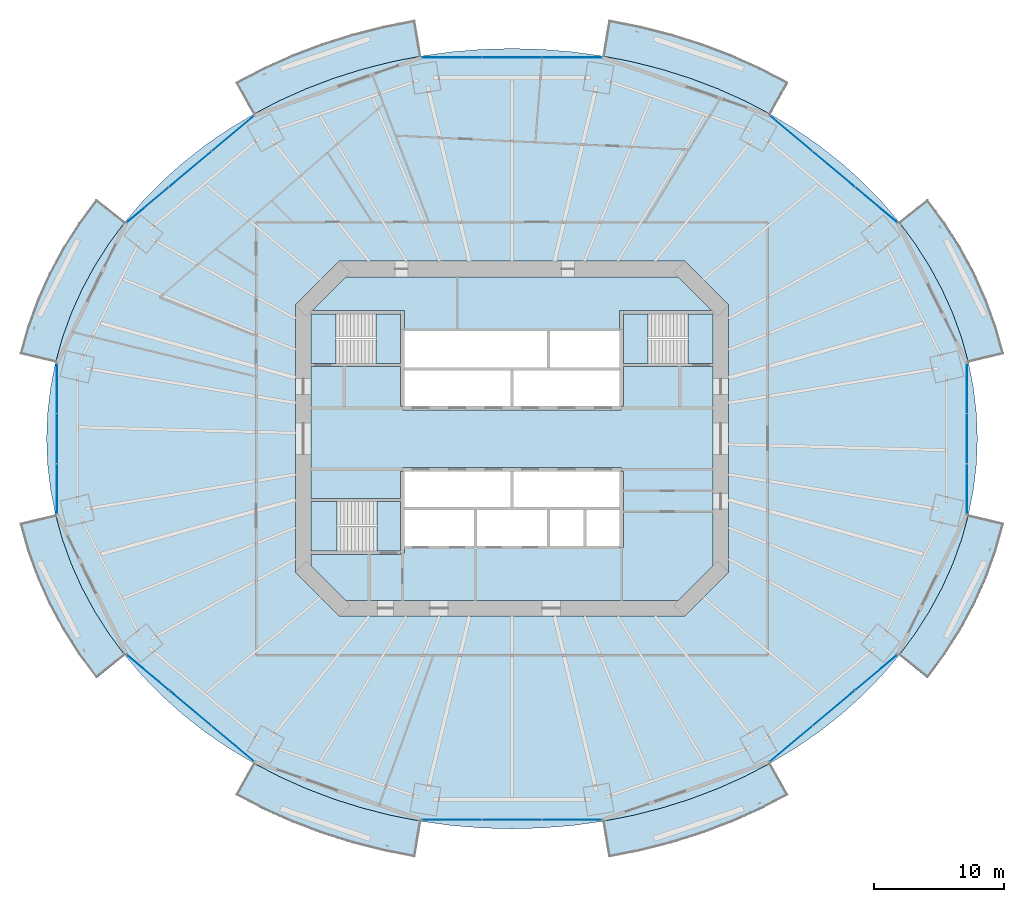
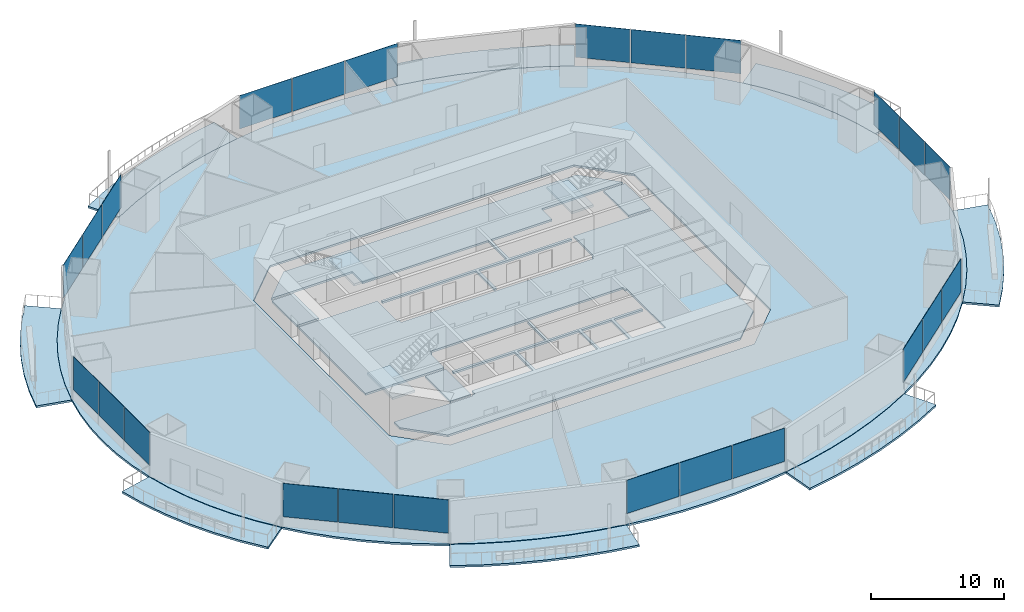
# One storey, part 12 of 22: 24 plates, 17 slabs, 11 elements without a shape of their own.
"""IFC4 building model written with IfcOpenShell, lengths in metres."""

from ifc_helpers import new_model, si_unit, direction, frame, origin, origin_2d, place, context, subcontext, project, spatial, polyline, rectangle, outline, extrude, material, layer, layer_set, type_object, element, aggregate, save


model = new_model("IFC4")

# Units and contexts
model_context = context("Model", 3, precision=1e-05, world=origin(), true_north=direction((0.0, 1.0)))
body_context = subcontext(model_context, "Body", "Model", "MODEL_VIEW")
ifc_project = project(units=[si_unit("LENGTHUNIT", "METRE"), si_unit("AREAUNIT", "SQUARE_METRE"), si_unit("VOLUMEUNIT", "CUBIC_METRE"), si_unit("PLANEANGLEUNIT", "RADIAN"), si_unit("MASSUNIT", "GRAM", prefix="KILO")], contexts=[model_context])

# Site, building, storey
site_placement = place(None, origin())
site = spatial("IfcSite", under=ifc_project, at=site_placement, CompositionType="ELEMENT")
building_placement = place(site_placement, origin())
building = spatial("IfcBuilding", under=site, at=building_placement, Name="Marenthal Gate Tower", CompositionType="ELEMENT")
storey_placement = place(building_placement, frame((0.0, 0.0, 74.5)))
storey = spatial("IfcBuildingStorey", under=building, at=storey_placement, Name="L14", CompositionType="ELEMENT", Elevation=74.5)

# Slabs
ifc_material_1 = material(Name="Concrete 40 MPa", Category="concrete")
ifc_layer_1 = layer(ifc_material_1, 0.179931640625)
ifc_layer_set_1 = layer_set([ifc_layer_1], Name="Balcony deck 180")
slab_type_1 = type_object("IfcSlabType", Name="Balcony deck 180", PredefinedType="USERDEFINED", material=ifc_layer_set_1)
slab_1_placement = place(storey_placement, frame((0.0, 0.0, -0.219970703125)))
element("IfcSlab", 1, at=slab_1_placement, inside=storey, type_object=slab_type_1, Name="Balcony deck L14 bay 1", ObjectType="BALCONY", PredefinedType="USERDEFINED", context=body_context, shape_type="SweptSolid", body=[
    extrude(outline(polyline([(34.987548828125, 5.833984375), (34.45751953125, 7.73974609375), (33.77978515625, 9.6123046875), (32.95751953125, 11.44384765625), (31.994140625, 13.226318359375), (30.893798828125, 14.951904296875), (29.660888671875, 16.61376953125), (31.8505859375, 18.359130859375), (33.19970703125, 16.540283203125), (34.407470703125, 14.64599609375), (35.4677734375, 12.68408203125), (36.375, 10.663330078125), (37.12451171875, 8.59228515625), (37.7119140625, 6.48046875), (34.987548828125, 5.833984375)])), origin(), (0.0, 0.0, 1.0), 0.179931640625),
])
slab_2_placement = place(storey_placement, frame((0.0, 0.0, -0.219970703125)))
element("IfcSlab", 2, at=slab_2_placement, inside=storey, type_object=slab_type_1, Name="Balcony deck L14 bay 3", ObjectType="BALCONY", PredefinedType="USERDEFINED", context=body_context, shape_type="SweptSolid", body=[
    extrude(outline(polyline([(19.81884765625, 24.8642578125), (17.83642578125, 25.897705078125), (15.77783203125, 26.820068359375), (13.651611328125, 27.627685546875), (11.466796875, 28.31689453125), (9.23291015625, 28.885009765625), (6.95947265625, 29.329345703125), (7.419921875, 32.09130859375), (9.846435546875, 31.616943359375), (12.233154296875, 31.010009765625), (14.570068359375, 30.272705078125), (16.847412109375, 29.40771484375), (19.056396484375, 28.41796875), (21.187255859375, 27.30712890625), (19.81884765625, 24.8642578125)])), origin(), (0.0, 0.0, 1.0), 0.179931640625),
])
slab_3_placement = place(storey_placement, frame((0.0, 0.0, -0.219970703125)))
element("IfcSlab", 3, at=slab_3_placement, inside=storey, type_object=slab_type_1, Name="Balcony deck L14 bay 5", ObjectType="BALCONY", PredefinedType="USERDEFINED", context=body_context, shape_type="SweptSolid", body=[
    extrude(outline(polyline([(-6.95947265625, 29.329345703125), (-9.23291015625, 28.885009765625), (-11.466796875, 28.31689453125), (-13.651611328125, 27.627685546875), (-15.77783203125, 26.820068359375), (-17.83642578125, 25.897705078125), (-19.81884765625, 24.8642578125), (-21.187255859375, 27.30712890625), (-19.056396484375, 28.41796875), (-16.847412109375, 29.40771484375), (-14.570068359375, 30.272705078125), (-12.233154296875, 31.010009765625), (-9.846435546875, 31.616943359375), (-7.419921875, 32.09130859375), (-6.95947265625, 29.329345703125)])), origin(), (0.0, 0.0, 1.0), 0.179931640625),
])
slab_4_placement = place(storey_placement, frame((0.0, 0.0, -0.219970703125)))
element("IfcSlab", 4, at=slab_4_placement, inside=storey, type_object=slab_type_1, Name="Balcony deck L14 bay 7", ObjectType="BALCONY", PredefinedType="USERDEFINED", context=body_context, shape_type="SweptSolid", body=[
    extrude(outline(polyline([(-29.660888671875, 16.61376953125), (-30.893798828125, 14.951904296875), (-31.994140625, 13.226318359375), (-32.95751953125, 11.44384765625), (-33.77978515625, 9.6123046875), (-34.45751953125, 7.73974609375), (-34.987548828125, 5.833984375), (-37.7119140625, 6.48046875), (-37.12451171875, 8.59228515625), (-36.375, 10.663330078125), (-35.4677734375, 12.68408203125), (-34.407470703125, 14.64599609375), (-33.19970703125, 16.540283203125), (-31.8505859375, 18.359130859375), (-29.660888671875, 16.61376953125)])), origin(), (0.0, 0.0, 1.0), 0.179931640625),
])
slab_5_placement = place(storey_placement, frame((0.0, 0.0, -0.219970703125)))
element("IfcSlab", 5, at=slab_5_placement, inside=storey, type_object=slab_type_1, Name="Balcony deck L14 bay 9", ObjectType="BALCONY", PredefinedType="USERDEFINED", context=body_context, shape_type="SweptSolid", body=[
    extrude(outline(polyline([(-34.987548828125, -5.833984375), (-34.45751953125, -7.73974609375), (-33.77978515625, -9.6123046875), (-32.95751953125, -11.44384765625), (-31.994140625, -13.226318359375), (-30.893798828125, -14.951904296875), (-29.660888671875, -16.61376953125), (-31.8505859375, -18.359130859375), (-33.19970703125, -16.540283203125), (-34.407470703125, -14.64599609375), (-35.4677734375, -12.68408203125), (-36.375, -10.663330078125), (-37.12451171875, -8.59228515625), (-37.7119140625, -6.48046875), (-34.987548828125, -5.833984375)])), origin(), (0.0, 0.0, 1.0), 0.179931640625),
])
slab_6_placement = place(storey_placement, frame((0.0, 0.0, -0.219970703125)))
element("IfcSlab", 6, at=slab_6_placement, inside=storey, type_object=slab_type_1, Name="Balcony deck L14 bay 11", ObjectType="BALCONY", PredefinedType="USERDEFINED", context=body_context, shape_type="SweptSolid", body=[
    extrude(outline(polyline([(-19.81884765625, -24.8642578125), (-17.83642578125, -25.897705078125), (-15.77783203125, -26.820068359375), (-13.651611328125, -27.627685546875), (-11.466796875, -28.31689453125), (-9.23291015625, -28.885009765625), (-6.95947265625, -29.329345703125), (-7.419921875, -32.09130859375), (-9.846435546875, -31.616943359375), (-12.233154296875, -31.010009765625), (-14.570068359375, -30.272705078125), (-16.847412109375, -29.40771484375), (-19.056396484375, -28.41796875), (-21.187255859375, -27.30712890625), (-19.81884765625, -24.8642578125)])), origin(), (0.0, 0.0, 1.0), 0.179931640625),
])
slab_7_placement = place(storey_placement, frame((0.0, 0.0, -0.219970703125)))
element("IfcSlab", 7, at=slab_7_placement, inside=storey, type_object=slab_type_1, Name="Balcony deck L14 bay 13", ObjectType="BALCONY", PredefinedType="USERDEFINED", context=body_context, shape_type="SweptSolid", body=[
    extrude(outline(polyline([(6.95947265625, -29.329345703125), (9.23291015625, -28.885009765625), (11.466796875, -28.31689453125), (13.651611328125, -27.627685546875), (15.77783203125, -26.820068359375), (17.83642578125, -25.897705078125), (19.81884765625, -24.8642578125), (21.187255859375, -27.30712890625), (19.056396484375, -28.41796875), (16.847412109375, -29.40771484375), (14.570068359375, -30.272705078125), (12.233154296875, -31.010009765625), (9.846435546875, -31.616943359375), (7.419921875, -32.09130859375), (6.95947265625, -29.329345703125)])), origin(), (0.0, 0.0, 1.0), 0.179931640625),
])
slab_8_placement = place(storey_placement, frame((0.0, 0.0, -0.219970703125)))
element("IfcSlab", 8, at=slab_8_placement, inside=storey, type_object=slab_type_1, Name="Balcony deck L14 bay 15", ObjectType="BALCONY", PredefinedType="USERDEFINED", context=body_context, shape_type="SweptSolid", body=[
    extrude(outline(polyline([(29.660888671875, -16.61376953125), (30.893798828125, -14.951904296875), (31.994140625, -13.226318359375), (32.95751953125, -11.44384765625), (33.77978515625, -9.6123046875), (34.45751953125, -7.73974609375), (34.987548828125, -5.833984375), (37.7119140625, -6.48046875), (37.12451171875, -8.59228515625), (36.375, -10.663330078125), (35.4677734375, -12.68408203125), (34.407470703125, -14.64599609375), (33.19970703125, -16.540283203125), (31.8505859375, -18.359130859375), (29.660888671875, -16.61376953125)])), origin(), (0.0, 0.0, 1.0), 0.179931640625),
])
ifc_material_2 = material(Name="Concrete 50 MPa", Category="concrete")
ifc_layer_2 = layer(ifc_material_2, 0.179931640625)
ifc_layer_set_2 = layer_set([ifc_layer_2], Name="Core floor slab 180")
slab_type_2 = type_object("IfcSlabType", Name="Core floor slab 180", PredefinedType="FLOOR", material=ifc_layer_set_2)
slab_9_placement = place(storey_placement, frame((0.0, 0.0, -0.179931640625)))
element("IfcSlab", 9, at=slab_9_placement, inside=storey, type_object=slab_type_2, Name="Core floor L14", PredefinedType="FLOOR", context=body_context, shape_type="SweptSolid", body=[
    extrude(outline(polyline([(15.39990234375, -9.75146484375), (12.75146484375, -12.39990234375), (-12.75146484375, -12.39990234375), (-15.39990234375, -9.75146484375), (-15.39990234375, -8.875), (-8.550048828125, -8.875), (-8.550048828125, -8.75), (-8.25, -8.75), (-8.25, -8.239990234375), (-5.60009765625, -8.239990234375), (-2.909912109375, -8.239990234375), (-2.909912109375, -5.4599609375), (-5.60009765625, -5.4599609375), (-8.25, -5.4599609375), (-8.25, -5.239990234375), (-5.60009765625, -5.239990234375), (-2.800048828125, -5.239990234375), (-0.110107421875, -5.239990234375), (-0.110107421875, -2.5), (0.110107421875, -2.5), (0.110107421875, -5.239990234375), (2.800048828125, -5.239990234375), (5.60009765625, -5.239990234375), (8.25, -5.239990234375), (8.25, -5.4599609375), (5.7099609375, -5.4599609375), (5.7099609375, -8.239990234375), (8.25, -8.239990234375), (8.25, -8.35009765625), (8.550048828125, -8.35009765625), (8.550048828125, -2.5), (8.39990234375, -2.5), (8.39990234375, -2.199951171875), (-8.39990234375, -2.199951171875), (-8.39990234375, -2.5), (-8.550048828125, -2.5), (-8.550048828125, -4.574951171875), (-15.39990234375, -4.574951171875), (-15.39990234375, 5.52490234375), (-8.550048828125, 5.52490234375), (-8.550048828125, 2.5), (-8.39990234375, 2.5), (-8.39990234375, 2.199951171875), (8.39990234375, 2.199951171875), (8.39990234375, 2.5), (8.550048828125, 2.5), (8.550048828125, 5.52490234375), (15.39990234375, 5.52490234375), (15.39990234375, -9.75146484375)]), holes=[polyline([(2.68994140625, -5.4599609375), (0.0, -5.4599609375), (-2.68994140625, -5.4599609375), (-2.68994140625, -8.239990234375), (0.0, -8.239990234375), (2.68994140625, -8.239990234375), (2.68994140625, -5.4599609375)]), polyline([(5.489990234375, -5.4599609375), (2.909912109375, -5.4599609375), (2.909912109375, -8.239990234375), (5.489990234375, -8.239990234375), (5.489990234375, -5.4599609375)])]), origin(), (0.0, 0.0, 1.0), 0.179931640625),
])
slab_10_placement = place(storey_placement, frame((0.0, 0.0, -0.179931640625)))
element("IfcSlab", 10, at=slab_10_placement, inside=storey, type_object=slab_type_2, Name="Core floor L14", PredefinedType="FLOOR", context=body_context, shape_type="SweptSolid", body=[
    extrude(outline(polyline([(15.39990234375, 5.77490234375), (13.5, 5.77490234375), (13.5, 9.574951171875), (15.39990234375, 9.574951171875), (15.39990234375, 5.77490234375)])), origin(), (0.0, 0.0, 1.0), 0.179931640625),
])
slab_11_placement = place(storey_placement, frame((0.0, 0.0, -0.179931640625)))
element("IfcSlab", 11, at=slab_11_placement, inside=storey, type_object=slab_type_2, Name="Core floor L14", PredefinedType="FLOOR", context=body_context, shape_type="SweptSolid", body=[
    extrude(outline(polyline([(12.75146484375, 12.39990234375), (15.326416015625, 9.824951171875), (8.550048828125, 9.824951171875), (8.25, 9.824951171875), (8.25, 8.35009765625), (8.25, 8.239990234375), (5.60009765625, 8.239990234375), (2.909912109375, 8.239990234375), (2.909912109375, 5.4599609375), (5.60009765625, 5.4599609375), (8.25, 5.4599609375), (8.25, 5.239990234375), (5.60009765625, 5.239990234375), (2.800048828125, 5.239990234375), (0.110107421875, 5.239990234375), (0.110107421875, 2.5), (-0.110107421875, 2.5), (-0.110107421875, 5.239990234375), (-2.800048828125, 5.239990234375), (-5.60009765625, 5.239990234375), (-8.25, 5.239990234375), (-8.25, 5.4599609375), (-5.60009765625, 5.4599609375), (-2.800048828125, 5.4599609375), (0.0, 5.4599609375), (2.68994140625, 5.4599609375), (2.68994140625, 8.239990234375), (0.0, 8.239990234375), (-2.800048828125, 8.239990234375), (-5.60009765625, 8.239990234375), (-8.25, 8.239990234375), (-8.25, 8.35009765625), (-8.25, 9.824951171875), (-8.550048828125, 9.824951171875), (-15.326416015625, 9.824951171875), (-12.75146484375, 12.39990234375), (12.75146484375, 12.39990234375)])), origin(), (0.0, 0.0, 1.0), 0.179931640625),
])
slab_12_placement = place(storey_placement, frame((0.0, 0.0, -0.179931640625)))
element("IfcSlab", 12, at=slab_12_placement, inside=storey, type_object=slab_type_2, Name="Core floor L14", PredefinedType="FLOOR", context=body_context, shape_type="SweptSolid", body=[
    extrude(outline(polyline([(-15.39990234375, 9.574951171875), (-13.5, 9.574951171875), (-13.5, 5.77490234375), (-15.39990234375, 5.77490234375), (-15.39990234375, 9.574951171875)])), origin(), (0.0, 0.0, 1.0), 0.179931640625),
])
slab_13_placement = place(storey_placement, frame((0.0, 0.0, -0.179931640625)))
element("IfcSlab", 13, at=slab_13_placement, inside=storey, type_object=slab_type_2, Name="Core floor L14", PredefinedType="FLOOR", context=body_context, shape_type="SweptSolid", body=[
    extrude(outline(polyline([(-8.550048828125, -8.625), (-10.35009765625, -8.625), (-10.35009765625, -4.824951171875), (-8.550048828125, -4.824951171875), (-8.550048828125, -8.625)])), origin(), (0.0, 0.0, 1.0), 0.179931640625),
])
ifc_material_3 = material(Name="Concrete 35 MPa", Category="concrete")
ifc_layer_3 = layer(ifc_material_3, 0.179931640625)
ifc_layer_set_3 = layer_set([ifc_layer_3], Name="Floor slab 180")
slab_type_3 = type_object("IfcSlabType", Name="Floor slab 180", PredefinedType="FLOOR", material=ifc_layer_set_3)
slab_14_placement = place(storey_placement, frame((0.0, 0.0, -0.179931640625)))
element("IfcSlab", 14, at=slab_14_placement, inside=storey, type_object=slab_type_3, Name="SL-L14-01", PredefinedType="FLOOR", context=body_context, shape_type="SweptSolid", body=[
    extrude(outline(polyline([(35.673095703125, 0.0), (35.5966796875, 1.955810546875), (35.367919921875, 3.9033203125), (34.987548828125, 5.833984375), (34.45751953125, 7.73974609375), (33.77978515625, 9.6123046875), (32.95751953125, 11.44384765625), (31.994140625, 13.226318359375), (30.893798828125, 14.951904296875), (29.660888671875, 16.61376953125), (28.30126953125, 18.204345703125), (26.8203125, 19.717041015625), (25.224609375, 21.145263671875), (23.520751953125, 22.48291015625), (21.71630859375, 23.724365234375), (19.81884765625, 24.8642578125), (17.83642578125, 25.897705078125), (15.77783203125, 26.820068359375), (13.651611328125, 27.627685546875), (11.466796875, 28.31689453125), (9.23291015625, 28.885009765625), (6.95947265625, 29.329345703125), (4.65625, 29.648193359375), (2.3330078125, 29.840087890625), (0.0, 29.904052734375), (-2.3330078125, 29.840087890625), (-4.65625, 29.648193359375), (-6.95947265625, 29.329345703125), (-9.23291015625, 28.885009765625), (-11.466796875, 28.31689453125), (-13.651611328125, 27.627685546875), (-15.77783203125, 26.820068359375), (-17.83642578125, 25.897705078125), (-19.81884765625, 24.8642578125), (-21.71630859375, 23.724365234375), (-23.520751953125, 22.48291015625), (-25.224609375, 21.145263671875), (-26.8203125, 19.717041015625), (-28.30126953125, 18.204345703125), (-29.660888671875, 16.61376953125), (-30.893798828125, 14.951904296875), (-31.994140625, 13.226318359375), (-32.95751953125, 11.44384765625), (-33.77978515625, 9.6123046875), (-34.45751953125, 7.73974609375), (-34.987548828125, 5.833984375), (-35.367919921875, 3.9033203125), (-35.5966796875, 1.955810546875), (-35.673095703125, 0.0), (-35.5966796875, -1.955810546875), (-35.367919921875, -3.9033203125), (-34.987548828125, -5.833984375), (-34.45751953125, -7.73974609375), (-33.77978515625, -9.6123046875), (-32.95751953125, -11.44384765625), (-31.994140625, -13.226318359375), (-30.893798828125, -14.951904296875), (-29.660888671875, -16.61376953125), (-28.30126953125, -18.204345703125), (-26.8203125, -19.717041015625), (-25.224609375, -21.145263671875), (-23.520751953125, -22.48291015625), (-21.71630859375, -23.724365234375), (-19.81884765625, -24.8642578125), (-17.83642578125, -25.897705078125), (-15.77783203125, -26.820068359375), (-13.651611328125, -27.627685546875), (-11.466796875, -28.31689453125), (-9.23291015625, -28.885009765625), (-6.95947265625, -29.329345703125), (-4.65625, -29.648193359375), (-2.3330078125, -29.840087890625), (0.0, -29.904052734375), (2.3330078125, -29.840087890625), (4.65625, -29.648193359375), (6.95947265625, -29.329345703125), (9.23291015625, -28.885009765625), (11.466796875, -28.31689453125), (13.651611328125, -27.627685546875), (15.77783203125, -26.820068359375), (17.83642578125, -25.897705078125), (19.81884765625, -24.8642578125), (21.71630859375, -23.724365234375), (23.520751953125, -22.48291015625), (25.224609375, -21.145263671875), (26.8203125, -19.717041015625), (28.30126953125, -18.204345703125), (29.660888671875, -16.61376953125), (30.893798828125, -14.951904296875), (31.994140625, -13.226318359375), (32.95751953125, -11.44384765625), (33.77978515625, -9.6123046875), (34.45751953125, -7.73974609375), (34.987548828125, -5.833984375), (35.367919921875, -3.9033203125), (35.5966796875, -1.955810546875), (35.673095703125, 0.0)]), holes=[polyline([(13.24853515625, -13.60009765625), (16.60009765625, -10.24853515625), (16.60009765625, 10.24853515625), (13.24853515625, 13.60009765625), (-13.24853515625, 13.60009765625), (-16.60009765625, 10.24853515625), (-16.60009765625, -10.24853515625), (-13.24853515625, -13.60009765625), (13.24853515625, -13.60009765625)])]), origin(), (0.0, 0.0, 1.0), 0.179931640625),
])

# Curtain wall, plates
ifc_material_4 = material(Name="Aluminium and glass", Category="aluminium")
curtain_wall_type = type_object("IfcCurtainWallType", Name="Curtain wall typical low", PredefinedType="NOTDEFINED", material=ifc_material_4)
curtain_wall_1_placement = place(storey_placement, origin())
curtain_wall_1 = element("IfcCurtainWall", 15, at=curtain_wall_1_placement, inside=storey, type_object=curtain_wall_type, Name="Curtain wall L14 bay 2", PredefinedType="NOTDEFINED")
ifc_material_5 = material(Name="Glass, laminated insulating unit", Category="glass")
ifc_layer_4 = layer(ifc_material_5, 0.030029296875)
ifc_layer_set_4 = layer_set([ifc_layer_4], Name="Glass panel 30 typical low")
plate_type = type_object("IfcPlateType", Name="Glass panel 30 typical low", PredefinedType="CURTAIN_PANEL", material=ifc_layer_set_4)
plate_1_placement = place(storey_placement, frame((27.9111328125, 17.929443359375, 0.89990234375), z_axis=(0.0, 0.0, 1.0), x_axis=(-0.76655707885, 0.642176178992, 0.0)))
plate_1 = element("IfcPlate", 16, at=plate_1_placement, type_object=plate_type, Name="Glass panel L14 bay 2.1", PredefinedType="CURTAIN_PANEL", context=body_context, shape_type="SweptSolid", body=[
    extrude(rectangle(XDim=4.185302734375, YDim=0.030029296875, at=origin_2d()), origin(), (0.0, 0.0, 1.0), 3.070068359375),
])
plate_2_placement = place(storey_placement, frame((24.65673828125, 20.65576171875, 0.89990234375), z_axis=(0.0, 0.0, 1.0), x_axis=(-0.76655707885, 0.642176178992, 0.0)))
plate_2 = element("IfcPlate", 17, at=plate_2_placement, type_object=plate_type, Name="Glass panel L14 bay 2.2", PredefinedType="CURTAIN_PANEL", context=body_context, shape_type="SweptSolid", body=[
    extrude(rectangle(XDim=4.185302734375, YDim=0.030029296875, at=origin_2d()), origin(), (0.0, 0.0, 1.0), 3.070068359375),
])
plate_3_placement = place(storey_placement, frame((21.40234375, 23.382080078125, 0.89990234375), z_axis=(0.0, 0.0, 1.0), x_axis=(-0.76655707885, 0.642176178992, 0.0)))
plate_3 = element("IfcPlate", 18, at=plate_3_placement, type_object=plate_type, Name="Glass panel L14 bay 2.3", PredefinedType="CURTAIN_PANEL", context=body_context, shape_type="SweptSolid", body=[
    extrude(rectangle(XDim=4.185302734375, YDim=0.030029296875, at=origin_2d()), origin(), (0.0, 0.0, 1.0), 3.070068359375),
])
aggregate(curtain_wall_1, [plate_1, plate_2, plate_3])

curtain_wall_2_placement = place(storey_placement, origin())
curtain_wall_2 = element("IfcCurtainWall", 19, at=curtain_wall_2_placement, inside=storey, type_object=curtain_wall_type, Name="Curtain wall L14 bay 4", PredefinedType="NOTDEFINED")
plate_4_placement = place(storey_placement, frame((4.60400390625, 29.211669921875, 0.89990234375), z_axis=(0.0, 0.0, 1.0), x_axis=(-1.0, 0.0, 0.0)))
plate_4 = element("IfcPlate", 20, at=plate_4_placement, type_object=plate_type, Name="Glass panel L14 bay 4.1", PredefinedType="CURTAIN_PANEL", context=body_context, shape_type="SweptSolid", body=[
    extrude(rectangle(XDim=4.5439453125, YDim=0.030029296875, at=origin_2d()), origin(), (0.0, 0.0, 1.0), 3.070068359375),
])
plate_5_placement = place(storey_placement, frame((0.0, 29.211669921875, 0.89990234375), z_axis=(0.0, 0.0, 1.0), x_axis=(-1.0, 0.0, 0.0)))
plate_5 = element("IfcPlate", 21, at=plate_5_placement, type_object=plate_type, Name="Glass panel L14 bay 4.2", PredefinedType="CURTAIN_PANEL", context=body_context, shape_type="SweptSolid", body=[
    extrude(rectangle(XDim=4.5439453125, YDim=0.030029296875, at=origin_2d()), origin(), (0.0, 0.0, 1.0), 3.070068359375),
])
plate_6_placement = place(storey_placement, frame((-4.60400390625, 29.211669921875, 0.89990234375), z_axis=(0.0, 0.0, 1.0), x_axis=(-1.0, 0.0, 0.0)))
plate_6 = element("IfcPlate", 22, at=plate_6_placement, type_object=plate_type, Name="Glass panel L14 bay 4.3", PredefinedType="CURTAIN_PANEL", context=body_context, shape_type="SweptSolid", body=[
    extrude(rectangle(XDim=4.5439453125, YDim=0.030029296875, at=origin_2d()), origin(), (0.0, 0.0, 1.0), 3.070068359375),
])
aggregate(curtain_wall_2, [plate_4, plate_5, plate_6])

curtain_wall_3_placement = place(storey_placement, origin())
curtain_wall_3 = element("IfcCurtainWall", 23, at=curtain_wall_3_placement, inside=storey, type_object=curtain_wall_type, Name="Curtain wall L14 bay 6", PredefinedType="NOTDEFINED")
plate_7_placement = place(storey_placement, frame((-21.40234375, 23.382080078125, 0.89990234375), z_axis=(0.0, 0.0, 1.0), x_axis=(-0.76655707885, -0.642176178992, 0.0)))
plate_7 = element("IfcPlate", 24, at=plate_7_placement, type_object=plate_type, Name="Glass panel L14 bay 6.1", PredefinedType="CURTAIN_PANEL", context=body_context, shape_type="SweptSolid", body=[
    extrude(rectangle(XDim=4.185302734375, YDim=0.030029296875, at=origin_2d()), origin(), (0.0, 0.0, 1.0), 3.070068359375),
])
plate_8_placement = place(storey_placement, frame((-24.65673828125, 20.65576171875, 0.89990234375), z_axis=(0.0, 0.0, 1.0), x_axis=(-0.76655707885, -0.642176178992, 0.0)))
plate_8 = element("IfcPlate", 25, at=plate_8_placement, type_object=plate_type, Name="Glass panel L14 bay 6.2", PredefinedType="CURTAIN_PANEL", context=body_context, shape_type="SweptSolid", body=[
    extrude(rectangle(XDim=4.185302734375, YDim=0.030029296875, at=origin_2d()), origin(), (0.0, 0.0, 1.0), 3.070068359375),
])
plate_9_placement = place(storey_placement, frame((-27.9111328125, 17.929443359375, 0.89990234375), z_axis=(0.0, 0.0, 1.0), x_axis=(-0.76655707885, -0.642176178992, 0.0)))
plate_9 = element("IfcPlate", 26, at=plate_9_placement, type_object=plate_type, Name="Glass panel L14 bay 6.3", PredefinedType="CURTAIN_PANEL", context=body_context, shape_type="SweptSolid", body=[
    extrude(rectangle(XDim=4.185302734375, YDim=0.030029296875, at=origin_2d()), origin(), (0.0, 0.0, 1.0), 3.070068359375),
])
aggregate(curtain_wall_3, [plate_7, plate_8, plate_9])

curtain_wall_4_placement = place(storey_placement, origin())
curtain_wall_4 = element("IfcCurtainWall", 27, at=curtain_wall_4_placement, inside=storey, type_object=curtain_wall_type, Name="Curtain wall L14 bay 8", PredefinedType="NOTDEFINED")
plate_10_placement = place(storey_placement, frame((-34.869873046875, 3.853759765625, 0.89990234375), z_axis=(0.0, 0.0, 1.0), x_axis=(0.0, -1.0, 0.0)))
plate_10 = element("IfcPlate", 28, at=plate_10_placement, type_object=plate_type, Name="Glass panel L14 bay 8.1", PredefinedType="CURTAIN_PANEL", context=body_context, shape_type="SweptSolid", body=[
    extrude(rectangle(XDim=3.793701171875, YDim=0.030029296875, at=origin_2d()), origin(), (0.0, 0.0, 1.0), 3.070068359375),
])
plate_11_placement = place(storey_placement, frame((-34.869873046875, 0.0, 0.89990234375), z_axis=(0.0, 0.0, 1.0), x_axis=(0.0, -1.0, 0.0)))
plate_11 = element("IfcPlate", 29, at=plate_11_placement, type_object=plate_type, Name="Glass panel L14 bay 8.2", PredefinedType="CURTAIN_PANEL", context=body_context, shape_type="SweptSolid", body=[
    extrude(rectangle(XDim=3.793701171875, YDim=0.030029296875, at=origin_2d()), origin(), (0.0, 0.0, 1.0), 3.070068359375),
])
plate_12_placement = place(storey_placement, frame((-34.869873046875, -3.853759765625, 0.89990234375), z_axis=(0.0, 0.0, 1.0), x_axis=(0.0, -1.0, 0.0)))
plate_12 = element("IfcPlate", 30, at=plate_12_placement, type_object=plate_type, Name="Glass panel L14 bay 8.3", PredefinedType="CURTAIN_PANEL", context=body_context, shape_type="SweptSolid", body=[
    extrude(rectangle(XDim=3.793701171875, YDim=0.030029296875, at=origin_2d()), origin(), (0.0, 0.0, 1.0), 3.070068359375),
])
aggregate(curtain_wall_4, [plate_10, plate_11, plate_12])

curtain_wall_5_placement = place(storey_placement, origin())
curtain_wall_5 = element("IfcCurtainWall", 31, at=curtain_wall_5_placement, inside=storey, type_object=curtain_wall_type, Name="Curtain wall L14 bay 10", PredefinedType="NOTDEFINED")
plate_13_placement = place(storey_placement, frame((-27.9111328125, -17.929443359375, 0.89990234375), z_axis=(0.0, 0.0, 1.0), x_axis=(0.76655707885, -0.642176178992, 0.0)))
plate_13 = element("IfcPlate", 32, at=plate_13_placement, type_object=plate_type, Name="Glass panel L14 bay 10.1", PredefinedType="CURTAIN_PANEL", context=body_context, shape_type="SweptSolid", body=[
    extrude(rectangle(XDim=4.185302734375, YDim=0.030029296875, at=origin_2d()), origin(), (0.0, 0.0, 1.0), 3.070068359375),
])
plate_14_placement = place(storey_placement, frame((-24.65673828125, -20.65576171875, 0.89990234375), z_axis=(0.0, 0.0, 1.0), x_axis=(0.76655707885, -0.642176178992, 0.0)))
plate_14 = element("IfcPlate", 33, at=plate_14_placement, type_object=plate_type, Name="Glass panel L14 bay 10.2", PredefinedType="CURTAIN_PANEL", context=body_context, shape_type="SweptSolid", body=[
    extrude(rectangle(XDim=4.185302734375, YDim=0.030029296875, at=origin_2d()), origin(), (0.0, 0.0, 1.0), 3.070068359375),
])
plate_15_placement = place(storey_placement, frame((-21.40234375, -23.382080078125, 0.89990234375), z_axis=(0.0, 0.0, 1.0), x_axis=(0.76655707885, -0.642176178992, 0.0)))
plate_15 = element("IfcPlate", 34, at=plate_15_placement, type_object=plate_type, Name="Glass panel L14 bay 10.3", PredefinedType="CURTAIN_PANEL", context=body_context, shape_type="SweptSolid", body=[
    extrude(rectangle(XDim=4.185302734375, YDim=0.030029296875, at=origin_2d()), origin(), (0.0, 0.0, 1.0), 3.070068359375),
])
aggregate(curtain_wall_5, [plate_13, plate_14, plate_15])

curtain_wall_6_placement = place(storey_placement, origin())
curtain_wall_6 = element("IfcCurtainWall", 35, at=curtain_wall_6_placement, inside=storey, type_object=curtain_wall_type, Name="Curtain wall L14 bay 12", PredefinedType="NOTDEFINED")
plate_16_placement = place(storey_placement, frame((-4.60400390625, -29.211669921875, 0.89990234375), z_axis=(0.0, 0.0, 1.0), x_axis=(1.0, 0.0, 0.0)))
plate_16 = element("IfcPlate", 36, at=plate_16_placement, type_object=plate_type, Name="Glass panel L14 bay 12.1", PredefinedType="CURTAIN_PANEL", context=body_context, shape_type="SweptSolid", body=[
    extrude(rectangle(XDim=4.5439453125, YDim=0.030029296875, at=origin_2d()), origin(), (0.0, 0.0, 1.0), 3.070068359375),
])
plate_17_placement = place(storey_placement, frame((0.0, -29.211669921875, 0.89990234375), z_axis=(0.0, 0.0, 1.0), x_axis=(1.0, 0.0, 0.0)))
plate_17 = element("IfcPlate", 37, at=plate_17_placement, type_object=plate_type, Name="Glass panel L14 bay 12.2", PredefinedType="CURTAIN_PANEL", context=body_context, shape_type="SweptSolid", body=[
    extrude(rectangle(XDim=4.5439453125, YDim=0.030029296875, at=origin_2d()), origin(), (0.0, 0.0, 1.0), 3.070068359375),
])
plate_18_placement = place(storey_placement, frame((4.60400390625, -29.211669921875, 0.89990234375), z_axis=(0.0, 0.0, 1.0), x_axis=(1.0, 0.0, 0.0)))
plate_18 = element("IfcPlate", 38, at=plate_18_placement, type_object=plate_type, Name="Glass panel L14 bay 12.3", PredefinedType="CURTAIN_PANEL", context=body_context, shape_type="SweptSolid", body=[
    extrude(rectangle(XDim=4.5439453125, YDim=0.030029296875, at=origin_2d()), origin(), (0.0, 0.0, 1.0), 3.070068359375),
])
aggregate(curtain_wall_6, [plate_16, plate_17, plate_18])

curtain_wall_7_placement = place(storey_placement, origin())
curtain_wall_7 = element("IfcCurtainWall", 39, at=curtain_wall_7_placement, inside=storey, type_object=curtain_wall_type, Name="Curtain wall L14 bay 14", PredefinedType="NOTDEFINED")
plate_19_placement = place(storey_placement, frame((21.40234375, -23.382080078125, 0.89990234375), z_axis=(0.0, 0.0, 1.0), x_axis=(0.76655707885, 0.642176178992, 0.0)))
plate_19 = element("IfcPlate", 40, at=plate_19_placement, type_object=plate_type, Name="Glass panel L14 bay 14.1", PredefinedType="CURTAIN_PANEL", context=body_context, shape_type="SweptSolid", body=[
    extrude(rectangle(XDim=4.185302734375, YDim=0.030029296875, at=origin_2d()), origin(), (0.0, 0.0, 1.0), 3.070068359375),
])
plate_20_placement = place(storey_placement, frame((24.65673828125, -20.65576171875, 0.89990234375), z_axis=(0.0, 0.0, 1.0), x_axis=(0.76655707885, 0.642176178992, 0.0)))
plate_20 = element("IfcPlate", 41, at=plate_20_placement, type_object=plate_type, Name="Glass panel L14 bay 14.2", PredefinedType="CURTAIN_PANEL", context=body_context, shape_type="SweptSolid", body=[
    extrude(rectangle(XDim=4.185302734375, YDim=0.030029296875, at=origin_2d()), origin(), (0.0, 0.0, 1.0), 3.070068359375),
])
plate_21_placement = place(storey_placement, frame((27.9111328125, -17.929443359375, 0.89990234375), z_axis=(0.0, 0.0, 1.0), x_axis=(0.76655707885, 0.642176178992, 0.0)))
plate_21 = element("IfcPlate", 42, at=plate_21_placement, type_object=plate_type, Name="Glass panel L14 bay 14.3", PredefinedType="CURTAIN_PANEL", context=body_context, shape_type="SweptSolid", body=[
    extrude(rectangle(XDim=4.185302734375, YDim=0.030029296875, at=origin_2d()), origin(), (0.0, 0.0, 1.0), 3.070068359375),
])
aggregate(curtain_wall_7, [plate_19, plate_20, plate_21])

curtain_wall_8_placement = place(storey_placement, origin())
curtain_wall_8 = element("IfcCurtainWall", 43, at=curtain_wall_8_placement, inside=storey, type_object=curtain_wall_type, Name="Curtain wall L14 bay 16", PredefinedType="NOTDEFINED")
plate_22_placement = place(storey_placement, frame((34.869873046875, -3.853759765625, 0.89990234375), z_axis=(0.0, 0.0, 1.0), x_axis=(0.0, 1.0, 0.0)))
plate_22 = element("IfcPlate", 44, at=plate_22_placement, type_object=plate_type, Name="Glass panel L14 bay 16.1", PredefinedType="CURTAIN_PANEL", context=body_context, shape_type="SweptSolid", body=[
    extrude(rectangle(XDim=3.793701171875, YDim=0.030029296875, at=origin_2d()), origin(), (0.0, 0.0, 1.0), 3.070068359375),
])
plate_23_placement = place(storey_placement, frame((34.869873046875, 0.0, 0.89990234375), z_axis=(0.0, 0.0, 1.0), x_axis=(0.0, 1.0, 0.0)))
plate_23 = element("IfcPlate", 45, at=plate_23_placement, type_object=plate_type, Name="Glass panel L14 bay 16.2", PredefinedType="CURTAIN_PANEL", context=body_context, shape_type="SweptSolid", body=[
    extrude(rectangle(XDim=3.793701171875, YDim=0.030029296875, at=origin_2d()), origin(), (0.0, 0.0, 1.0), 3.070068359375),
])
plate_24_placement = place(storey_placement, frame((34.869873046875, 3.853759765625, 0.89990234375), z_axis=(0.0, 0.0, 1.0), x_axis=(0.0, 1.0, 0.0)))
plate_24 = element("IfcPlate", 46, at=plate_24_placement, type_object=plate_type, Name="Glass panel L14 bay 16.3", PredefinedType="CURTAIN_PANEL", context=body_context, shape_type="SweptSolid", body=[
    extrude(rectangle(XDim=3.793701171875, YDim=0.030029296875, at=origin_2d()), origin(), (0.0, 0.0, 1.0), 3.070068359375),
])
aggregate(curtain_wall_8, [plate_22, plate_23, plate_24])

# Stair, slab
ifc_material_6 = material(Name="Concrete 40 MPa", Category="concrete")
stair_type = type_object("IfcStairType", Name="Exit stair 1800", PredefinedType="HALF_TURN_STAIR", material=ifc_material_6)
stair_1_placement = place(storey_placement, origin())
stair_1 = element("IfcStair", 47, at=stair_1_placement, inside=storey, type_object=stair_type, Name="Stair ST1", PredefinedType="HALF_TURN_STAIR")
ifc_material_7 = material(Name="Concrete 40 MPa", Category="concrete")
ifc_layer_5 = layer(ifc_material_7, 0.199951171875)
ifc_layer_set_5 = layer_set([ifc_layer_5], Name="Stair landing 200")
slab_type_4 = type_object("IfcSlabType", Name="Stair landing 200", PredefinedType="LANDING", material=ifc_layer_set_5)
slab_15_placement = place(storey_placement, frame((0.0, 0.0, 1.875)))
slab_15 = element("IfcSlab", 48, at=slab_15_placement, type_object=slab_type_4, Name="ST1 landing 1", PredefinedType="LANDING", context=body_context, shape_type="SweptSolid", body=[
    extrude(outline(polyline([(-10.419921875, 5.77490234375), (-8.550048828125, 5.77490234375), (-8.550048828125, 9.574951171875), (-10.419921875, 9.574951171875), (-10.419921875, 5.77490234375)])), origin(), (0.0, 0.0, 1.0), 0.199951171875),
])
aggregate(stair_1, [slab_15])

stair_2_placement = place(storey_placement, origin())
stair_2 = element("IfcStair", 49, at=stair_2_placement, inside=storey, type_object=stair_type, Name="Stair ST2", PredefinedType="HALF_TURN_STAIR")
slab_16_placement = place(storey_placement, frame((0.0, 0.0, 1.875)))
slab_16 = element("IfcSlab", 50, at=slab_16_placement, type_object=slab_type_4, Name="ST2 landing 1", PredefinedType="LANDING", context=body_context, shape_type="SweptSolid", body=[
    extrude(outline(polyline([(-15.39990234375, -8.625), (-13.429931640625, -8.625), (-13.429931640625, -4.824951171875), (-15.39990234375, -4.824951171875), (-15.39990234375, -8.625)])), origin(), (0.0, 0.0, 1.0), 0.199951171875),
])
aggregate(stair_2, [slab_16])

stair_3_placement = place(storey_placement, origin())
stair_3 = element("IfcStair", 51, at=stair_3_placement, inside=storey, type_object=stair_type, Name="Stair ST3", PredefinedType="HALF_TURN_STAIR")
slab_17_placement = place(storey_placement, frame((0.0, 0.0, 1.875)))
slab_17 = element("IfcSlab", 52, at=slab_17_placement, type_object=slab_type_4, Name="ST3 landing 1", PredefinedType="LANDING", context=body_context, shape_type="SweptSolid", body=[
    extrude(outline(polyline([(8.550048828125, 5.77490234375), (10.419921875, 5.77490234375), (10.419921875, 9.574951171875), (8.550048828125, 9.574951171875), (8.550048828125, 5.77490234375)])), origin(), (0.0, 0.0, 1.0), 0.199951171875),
])
aggregate(stair_3, [slab_17])

save(model, "model.ifc")
